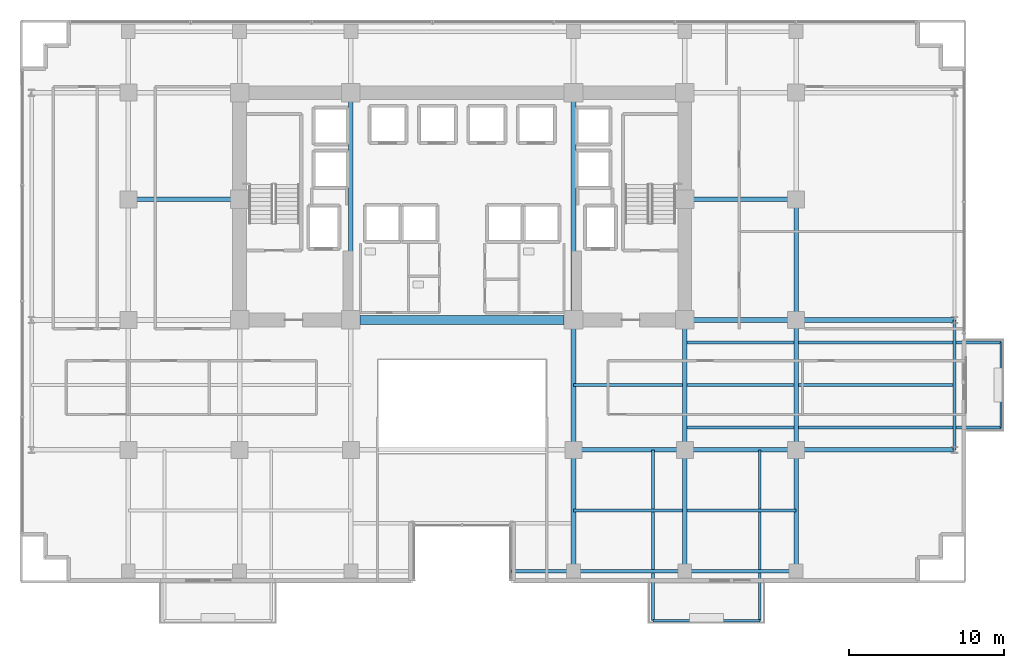
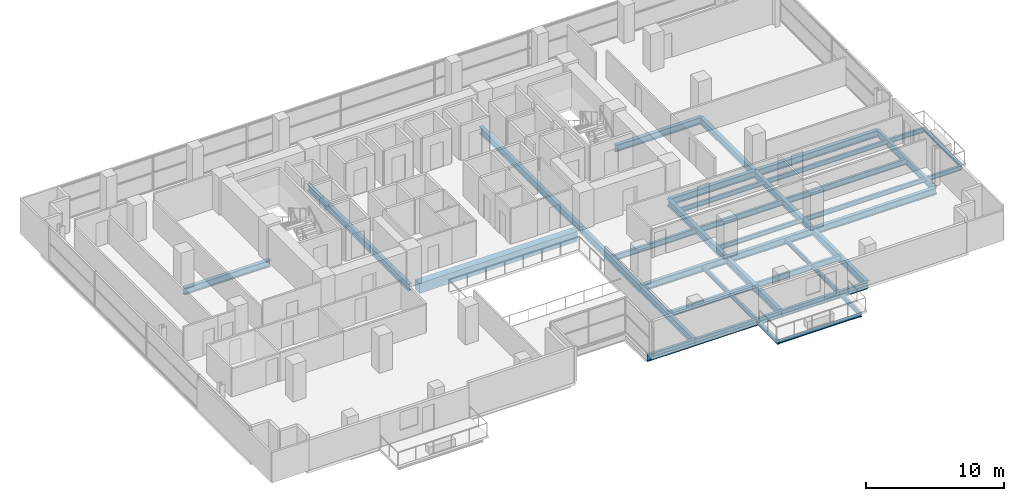
# One storey, part 10 of 26: 32 beams.
"""IFC4 building model written with IfcOpenShell, lengths in metres."""

from ifc_helpers import new_model, si_unit, direction, frame, origin, origin_2d, place, context, subcontext, project, spatial, rectangle, i_section, extrude, material, material_profile, profile_set, type_object, element, save


model = new_model("IFC4")

# Units and contexts
model_context = context("Model", 3, precision=1e-05, world=origin(), true_north=direction((0.0, 1.0)))
body_context = subcontext(model_context, "Body", "Model", "MODEL_VIEW")
ifc_project = project(units=[si_unit("LENGTHUNIT", "METRE"), si_unit("AREAUNIT", "SQUARE_METRE"), si_unit("VOLUMEUNIT", "CUBIC_METRE"), si_unit("PLANEANGLEUNIT", "RADIAN"), si_unit("MASSUNIT", "GRAM", prefix="KILO")], contexts=[model_context])

# Site, building, storey
site_placement = place(None, origin())
site = spatial("IfcSite", under=ifc_project, at=site_placement, CompositionType="ELEMENT")
building_placement = place(site_placement, origin())
building = spatial("IfcBuilding", under=site, at=building_placement, Name="Zarnakvel Exchange Tower", CompositionType="ELEMENT")
storey_placement = place(building_placement, frame((0.0, 0.0, 63.699951171875)))
storey = spatial("IfcBuildingStorey", under=building, at=storey_placement, Name="L17", CompositionType="ELEMENT", Elevation=63.699951171875)

# Beams
ifc_material_1 = material(Name="Steel S355", Category="steel")
ifc_material_profile_1 = material_profile(ifc_material_1, i_section(OverallWidth=0.199951171875, OverallDepth=0.5, WebThickness=0.01025390625, FlangeThickness=0.01611328125, FilletRadius=0.02099609375, at=origin_2d()))
ifc_profile_set_1 = profile_set([ifc_material_profile_1], Name="Steel S355")
beam_type_1 = type_object("IfcBeamType", Name="B-04", PredefinedType="JOIST", material=ifc_profile_set_1)
for number, where, z_axis, x_axis, name in (
    (1, (7.199951171875, -13.52490234375, -0.474853515625), (1.0, 0.0, 0.0), (0.0, 1.0, 0.0), "L17 Composite Floor Secondary Joist"),
    (2, (14.550048828125, -13.52490234375, -0.474853515625), (1.0, 0.0, 0.0), (0.0, 1.0, 0.0), "L17 Composite Floor Secondary Joist"),
    (3, (7.199951171875, -5.39990234375, -0.474853515625), (1.0, 0.0, 0.0), (0.0, 1.0, 0.0), "L17 Composite Floor Secondary Joist"),
):
    element("IfcBeam", number, at=place(storey_placement, frame(where, z_axis=z_axis, x_axis=x_axis)), inside=storey, type_object=beam_type_1, Name=name, PredefinedType="JOIST", context=body_context, shape_type="SweptSolid", body=[
        extrude(i_section(OverallWidth=0.199951171875, OverallDepth=0.5, WebThickness=0.01025390625, FlangeThickness=0.01611328125, FilletRadius=0.02099609375, at=origin_2d()), origin(), (0.0, 0.0, 1.0), 7.050048828125),
    ])
beam_1_placement = place(storey_placement, frame((14.550048828125, -5.39990234375, -0.474853515625), z_axis=(1.0, 0.0, 0.0), x_axis=(0.0, 1.0, 0.0)))
element("IfcBeam", 4, at=beam_1_placement, inside=storey, type_object=beam_type_1, Name="L17 Composite Floor Secondary Joist", PredefinedType="JOIST", context=body_context, shape_type="SweptSolid", body=[
    extrude(i_section(OverallWidth=0.199951171875, OverallDepth=0.5, WebThickness=0.01025390625, FlangeThickness=0.01611328125, FilletRadius=0.02099609375, at=origin_2d()), origin(), (0.0, 0.0, 1.0), 6.89990234375),
])
beam_2_placement = place(storey_placement, frame((21.75, -5.39990234375, -0.474853515625), z_axis=(1.0, 0.0, 0.0), x_axis=(0.0, 1.0, 0.0)))
element("IfcBeam", 5, at=beam_2_placement, inside=storey, type_object=beam_type_1, Name="L17 Composite Floor Secondary Joist", PredefinedType="JOIST", context=body_context, shape_type="SweptSolid", body=[
    extrude(i_section(OverallWidth=0.199951171875, OverallDepth=0.5, WebThickness=0.01025390625, FlangeThickness=0.01611328125, FilletRadius=0.02099609375, at=origin_2d()), origin(), (0.0, 0.0, 1.0), 10.10009765625),
])
ifc_material_profile_2 = material_profile(ifc_material_1, i_section(OverallWidth=0.179931640625, OverallDepth=0.39990234375, WebThickness=0.008544921875, FlangeThickness=0.013427734375, FilletRadius=0.02099609375, at=origin_2d()))
ifc_profile_set_2 = profile_set([ifc_material_profile_2], Name="Steel S355")
beam_type_2 = type_object("IfcBeamType", Name="B-06", PredefinedType="JOIST", material=ifc_profile_set_2)
for number, where, z_axis, x_axis, name in (
    (6, (12.35009765625, -9.60009765625, -0.425048828125), (0.0, -1.0, 0.0), (1.0, 0.0, 0.0), "L17 Continuous Back-Spanned Balcony Beam W"),
    (7, (19.25, -9.60009765625, -0.425048828125), (0.0, -1.0, 0.0), (1.0, 0.0, 0.0), "L17 Continuous Back-Spanned Balcony Beam E"),
):
    element("IfcBeam", number, at=place(storey_placement, frame(where, z_axis=z_axis, x_axis=x_axis)), inside=storey, type_object=beam_type_2, Name=name, PredefinedType="JOIST", context=body_context, shape_type="SweptSolid", body=[
        extrude(i_section(OverallWidth=0.179931640625, OverallDepth=0.39990234375, WebThickness=0.008544921875, FlangeThickness=0.013427734375, FilletRadius=0.02099609375, at=origin_2d()), origin(), (0.0, 0.0, 1.0), 11.0498046875),
    ])
for number, where, z_axis, x_axis, name in (
    (8, (14.39990234375, -8.14990234375, -0.425048828125), (1.0, 0.0, 0.0), (0.0, 1.0, 0.0), "L17 Continuous East Loggia Beam S"),
    (9, (14.39990234375, -2.64990234375, -0.425048828125), (1.0, 0.0, 0.0), (0.0, 1.0, 0.0), "L17 Continuous East Loggia Beam N"),
):
    element("IfcBeam", number, at=place(storey_placement, frame(where, z_axis=z_axis, x_axis=x_axis)), inside=storey, type_object=beam_type_2, Name=name, PredefinedType="JOIST", context=body_context, shape_type="SweptSolid", body=[
        extrude(i_section(OverallWidth=0.179931640625, OverallDepth=0.39990234375, WebThickness=0.008544921875, FlangeThickness=0.013427734375, FilletRadius=0.02099609375, at=origin_2d()), origin(), (0.0, 0.0, 1.0), 20.4501953125),
    ])
ifc_material_profile_3 = material_profile(ifc_material_1, i_section(OverallWidth=0.14990234375, OverallDepth=0.300048828125, WebThickness=0.007080078125, FlangeThickness=0.0107421875, FilletRadius=0.014892578125, at=origin_2d()))
ifc_profile_set_3 = profile_set([ifc_material_profile_3], Name="Steel S355")
beam_type_3 = type_object("IfcBeamType", Name="B-08", PredefinedType="JOIST", material=ifc_profile_set_3)
beam_3_placement = place(storey_placement, frame((12.35009765625, -20.64990234375, -0.375), z_axis=(1.0, 0.0, 0.0), x_axis=(0.0, 1.0, 0.0)))
element("IfcBeam", 10, at=beam_3_placement, inside=storey, type_object=beam_type_3, Name="L17 Balcony Edge Beam", PredefinedType="JOIST", context=body_context, shape_type="SweptSolid", body=[
    extrude(i_section(OverallWidth=0.14990234375, OverallDepth=0.300048828125, WebThickness=0.007080078125, FlangeThickness=0.0107421875, FilletRadius=0.014892578125, at=origin_2d()), origin(), (0.0, 0.0, 1.0), 6.89990234375),
])
beam_4_placement = place(storey_placement, frame((34.85009765625, -8.14990234375, -0.375), z_axis=(0.0, 1.0, 0.0), x_axis=(-1.0, 0.0, 0.0)))
element("IfcBeam", 11, at=beam_4_placement, inside=storey, type_object=beam_type_3, Name="L17 East Loggia Edge Beam", PredefinedType="JOIST", context=body_context, shape_type="SweptSolid", body=[
    extrude(i_section(OverallWidth=0.14990234375, OverallDepth=0.300048828125, WebThickness=0.007080078125, FlangeThickness=0.0107421875, FilletRadius=0.014892578125, at=origin_2d()), origin(), (0.0, 0.0, 1.0), 5.5),
])
ifc_material_2 = material(Name="Concrete C80/95", Category="concrete")
ifc_material_profile_4 = material_profile(ifc_material_2, rectangle(XDim=0.60009765625, YDim=0.89990234375, at=origin_2d()))
ifc_profile_set_4 = profile_set([ifc_material_profile_4], Name="Concrete C80/95")
beam_type_4 = type_object("IfcBeamType", Name="CB-01", PredefinedType="LINTEL", material=ifc_profile_set_4)
beam_5_placement = place(storey_placement, frame((-6.60009765625, -1.199951171875, -0.675048828125), z_axis=(1.0, 0.0, 0.0), x_axis=(0.0, 1.0, 0.0)))
element("IfcBeam", 12, at=beam_5_placement, inside=storey, type_object=beam_type_4, Name="L17 Rear Core South Coupling Beam (CB-01)", PredefinedType="LINTEL", context=body_context, shape_type="SweptSolid", body=[
    extrude(rectangle(XDim=0.60009765625, YDim=0.89990234375, at=origin_2d()), origin(), (0.0, 0.0, 1.0), 13.2001953125),
])
ifc_material_profile_5 = material_profile(ifc_material_1, i_section(OverallWidth=0.300048828125, OverallDepth=0.60009765625, WebThickness=0.015380859375, FlangeThickness=0.030029296875, FilletRadius=0.027099609375, at=origin_2d()))
ifc_profile_set_5 = profile_set([ifc_material_profile_5], Name="Steel S355")
beam_type_5 = type_object("IfcBeamType", Name="G-04", PredefinedType="BEAM", material=ifc_profile_set_5)
beam_6_placement = place(storey_placement, frame((7.199951171875, -9.60009765625, -0.52490234375), z_axis=(1.0, 0.0, 0.0), x_axis=(0.0, 1.0, 0.0)))
element("IfcBeam", 13, at=beam_6_placement, inside=storey, type_object=beam_type_5, Name="L17 Tower E-W Frame Beam", PredefinedType="BEAM", context=body_context, shape_type="SweptSolid", body=[
    extrude(i_section(OverallWidth=0.300048828125, OverallDepth=0.60009765625, WebThickness=0.015380859375, FlangeThickness=0.030029296875, FilletRadius=0.027099609375, at=origin_2d()), origin(), (0.0, 0.0, 1.0), 7.199951171875),
])
beam_7_placement = place(storey_placement, frame((14.39990234375, -9.60009765625, -0.52490234375), z_axis=(1.0, 0.0, 0.0), x_axis=(0.0, 1.0, 0.0)))
element("IfcBeam", 14, at=beam_7_placement, inside=storey, type_object=beam_type_5, Name="L17 Tower E-W Frame Beam", PredefinedType="BEAM", context=body_context, shape_type="SweptSolid", body=[
    extrude(i_section(OverallWidth=0.300048828125, OverallDepth=0.60009765625, WebThickness=0.015380859375, FlangeThickness=0.030029296875, FilletRadius=0.027099609375, at=origin_2d()), origin(), (0.0, 0.0, 1.0), 7.2001953125),
])
beam_8_placement = place(storey_placement, frame((21.60009765625, -9.60009765625, -0.52490234375), z_axis=(1.0, 0.0, 0.0), x_axis=(0.0, 1.0, 0.0)))
element("IfcBeam", 15, at=beam_8_placement, inside=storey, type_object=beam_type_5, Name="L17 Tower E-W Frame Beam", PredefinedType="BEAM", context=body_context, shape_type="SweptSolid", body=[
    extrude(i_section(OverallWidth=0.300048828125, OverallDepth=0.60009765625, WebThickness=0.015380859375, FlangeThickness=0.030029296875, FilletRadius=0.027099609375, at=origin_2d()), origin(), (0.0, 0.0, 1.0), 10.25),
])
beam_9_placement = place(storey_placement, frame((14.39990234375, -1.199951171875, -0.52490234375), z_axis=(1.0, 0.0, 0.0), x_axis=(0.0, 1.0, 0.0)))
element("IfcBeam", 16, at=beam_9_placement, inside=storey, type_object=beam_type_5, Name="L17 Tower E-W Frame Beam", PredefinedType="BEAM", context=body_context, shape_type="SweptSolid", body=[
    extrude(i_section(OverallWidth=0.300048828125, OverallDepth=0.60009765625, WebThickness=0.015380859375, FlangeThickness=0.030029296875, FilletRadius=0.027099609375, at=origin_2d()), origin(), (0.0, 0.0, 1.0), 7.2001953125),
])
beam_10_placement = place(storey_placement, frame((21.60009765625, -1.199951171875, -0.52490234375), z_axis=(1.0, 0.0, 0.0), x_axis=(0.0, 1.0, 0.0)))
element("IfcBeam", 17, at=beam_10_placement, inside=storey, type_object=beam_type_5, Name="L17 Tower E-W Frame Beam", PredefinedType="BEAM", context=body_context, shape_type="SweptSolid", body=[
    extrude(i_section(OverallWidth=0.300048828125, OverallDepth=0.60009765625, WebThickness=0.015380859375, FlangeThickness=0.030029296875, FilletRadius=0.027099609375, at=origin_2d()), origin(), (0.0, 0.0, 1.0), 10.25),
])
for number, where, z_axis, x_axis, name in (
    (18, (-21.60009765625, 6.60009765625, -0.52490234375), (1.0, 0.0, 0.0), (0.0, 1.0, 0.0), "L17 Tower E-W Frame Beam"),
    (19, (14.39990234375, 6.60009765625, -0.52490234375), (1.0, 0.0, 0.0), (0.0, 1.0, 0.0), "L17 Tower E-W Frame Beam"),
):
    element("IfcBeam", number, at=place(storey_placement, frame(where, z_axis=z_axis, x_axis=x_axis)), inside=storey, type_object=beam_type_5, Name=name, PredefinedType="BEAM", context=body_context, shape_type="SweptSolid", body=[
        extrude(i_section(OverallWidth=0.300048828125, OverallDepth=0.60009765625, WebThickness=0.015380859375, FlangeThickness=0.030029296875, FilletRadius=0.027099609375, at=origin_2d()), origin(), (0.0, 0.0, 1.0), 7.2001953125),
    ])
beam_11_placement = place(storey_placement, frame((-7.199951171875, -1.199951171875, -0.52490234375), z_axis=(0.0, 1.0, 0.0), x_axis=(-1.0, 0.0, 0.0)))
element("IfcBeam", 20, at=beam_11_placement, inside=storey, type_object=beam_type_5, Name="L17 Tower N-S Frame Beam", PredefinedType="BEAM", context=body_context, shape_type="SweptSolid", body=[
    extrude(i_section(OverallWidth=0.300048828125, OverallDepth=0.60009765625, WebThickness=0.015380859375, FlangeThickness=0.030029296875, FilletRadius=0.027099609375, at=origin_2d()), origin(), (0.0, 0.0, 1.0), 14.699951171875),
])
beam_12_placement = place(storey_placement, frame((7.199951171875, -17.449951171875, -0.52490234375), z_axis=(0.0, 1.0, 0.0), x_axis=(-1.0, 0.0, 0.0)))
element("IfcBeam", 21, at=beam_12_placement, inside=storey, type_object=beam_type_5, Name="L17 Tower N-S Frame Beam", PredefinedType="BEAM", context=body_context, shape_type="SweptSolid", body=[
    extrude(i_section(OverallWidth=0.300048828125, OverallDepth=0.60009765625, WebThickness=0.015380859375, FlangeThickness=0.030029296875, FilletRadius=0.027099609375, at=origin_2d()), origin(), (0.0, 0.0, 1.0), 7.849853515625),
])
beam_13_placement = place(storey_placement, frame((7.199951171875, -9.60009765625, -0.52490234375), z_axis=(0.0, 1.0, 0.0), x_axis=(-1.0, 0.0, 0.0)))
element("IfcBeam", 22, at=beam_13_placement, inside=storey, type_object=beam_type_5, Name="L17 Tower N-S Frame Beam", PredefinedType="BEAM", context=body_context, shape_type="SweptSolid", body=[
    extrude(i_section(OverallWidth=0.300048828125, OverallDepth=0.60009765625, WebThickness=0.015380859375, FlangeThickness=0.030029296875, FilletRadius=0.027099609375, at=origin_2d()), origin(), (0.0, 0.0, 1.0), 8.400146484375),
])
beam_14_placement = place(storey_placement, frame((7.199951171875, -1.199951171875, -0.52490234375), z_axis=(0.0, 1.0, 0.0), x_axis=(-1.0, 0.0, 0.0)))
element("IfcBeam", 23, at=beam_14_placement, inside=storey, type_object=beam_type_5, Name="L17 Tower N-S Frame Beam", PredefinedType="BEAM", context=body_context, shape_type="SweptSolid", body=[
    extrude(i_section(OverallWidth=0.300048828125, OverallDepth=0.60009765625, WebThickness=0.015380859375, FlangeThickness=0.030029296875, FilletRadius=0.027099609375, at=origin_2d()), origin(), (0.0, 0.0, 1.0), 14.699951171875),
])
beam_15_placement = place(storey_placement, frame((14.39990234375, -17.449951171875, -0.52490234375), z_axis=(0.0, 1.0, 0.0), x_axis=(-1.0, 0.0, 0.0)))
element("IfcBeam", 24, at=beam_15_placement, inside=storey, type_object=beam_type_5, Name="L17 Tower N-S Frame Beam", PredefinedType="BEAM", context=body_context, shape_type="SweptSolid", body=[
    extrude(i_section(OverallWidth=0.300048828125, OverallDepth=0.60009765625, WebThickness=0.015380859375, FlangeThickness=0.030029296875, FilletRadius=0.027099609375, at=origin_2d()), origin(), (0.0, 0.0, 1.0), 7.849853515625),
])
beam_16_placement = place(storey_placement, frame((14.39990234375, -9.60009765625, -0.52490234375), z_axis=(0.0, 1.0, 0.0), x_axis=(-1.0, 0.0, 0.0)))
element("IfcBeam", 25, at=beam_16_placement, inside=storey, type_object=beam_type_5, Name="L17 Tower N-S Frame Beam", PredefinedType="BEAM", context=body_context, shape_type="SweptSolid", body=[
    extrude(i_section(OverallWidth=0.300048828125, OverallDepth=0.60009765625, WebThickness=0.015380859375, FlangeThickness=0.030029296875, FilletRadius=0.027099609375, at=origin_2d()), origin(), (0.0, 0.0, 1.0), 8.400146484375),
])
beam_17_placement = place(storey_placement, frame((21.60009765625, -17.449951171875, -0.52490234375), z_axis=(0.0, 1.0, 0.0), x_axis=(-1.0, 0.0, 0.0)))
element("IfcBeam", 26, at=beam_17_placement, inside=storey, type_object=beam_type_5, Name="L17 Tower N-S Frame Beam", PredefinedType="BEAM", context=body_context, shape_type="SweptSolid", body=[
    extrude(i_section(OverallWidth=0.300048828125, OverallDepth=0.60009765625, WebThickness=0.015380859375, FlangeThickness=0.030029296875, FilletRadius=0.027099609375, at=origin_2d()), origin(), (0.0, 0.0, 1.0), 7.849853515625),
])
beam_18_placement = place(storey_placement, frame((21.60009765625, -9.60009765625, -0.52490234375), z_axis=(0.0, 1.0, 0.0), x_axis=(-1.0, 0.0, 0.0)))
element("IfcBeam", 27, at=beam_18_placement, inside=storey, type_object=beam_type_5, Name="L17 Tower N-S Frame Beam", PredefinedType="BEAM", context=body_context, shape_type="SweptSolid", body=[
    extrude(i_section(OverallWidth=0.300048828125, OverallDepth=0.60009765625, WebThickness=0.015380859375, FlangeThickness=0.030029296875, FilletRadius=0.027099609375, at=origin_2d()), origin(), (0.0, 0.0, 1.0), 8.400146484375),
])
beam_19_placement = place(storey_placement, frame((21.60009765625, -1.199951171875, -0.52490234375), z_axis=(0.0, 1.0, 0.0), x_axis=(-1.0, 0.0, 0.0)))
element("IfcBeam", 28, at=beam_19_placement, inside=storey, type_object=beam_type_5, Name="L17 Tower N-S Frame Beam", PredefinedType="BEAM", context=body_context, shape_type="SweptSolid", body=[
    extrude(i_section(OverallWidth=0.300048828125, OverallDepth=0.60009765625, WebThickness=0.015380859375, FlangeThickness=0.030029296875, FilletRadius=0.027099609375, at=origin_2d()), origin(), (0.0, 0.0, 1.0), 7.800048828125),
])
ifc_material_profile_6 = material_profile(ifc_material_1, i_section(OverallWidth=0.219970703125, OverallDepth=0.60009765625, WebThickness=0.011962890625, FlangeThickness=0.01904296875, FilletRadius=0.02392578125, at=origin_2d()))
ifc_profile_set_6 = profile_set([ifc_material_profile_6], Name="Steel S355")
beam_type_6 = type_object("IfcBeamType", Name="SP-01", PredefinedType="SPANDREL", material=ifc_profile_set_6)
beam_20_placement = place(storey_placement, frame((3.199951171875, -17.449951171875, -0.52490234375), z_axis=(1.0, 0.0, 0.0), x_axis=(0.0, 1.0, 0.0)))
element("IfcBeam", 29, at=beam_20_placement, inside=storey, type_object=beam_type_6, Name="L17 South Slot East Jamb Spandrel", PredefinedType="SPANDREL", context=body_context, shape_type="SweptSolid", body=[
    extrude(i_section(OverallWidth=0.219970703125, OverallDepth=0.60009765625, WebThickness=0.011962890625, FlangeThickness=0.01904296875, FilletRadius=0.02392578125, at=origin_2d()), origin(), (0.0, 0.0, 1.0), 4.0),
])
beam_21_placement = place(storey_placement, frame((7.199951171875, -17.449951171875, -0.52490234375), z_axis=(1.0, 0.0, 0.0), x_axis=(0.0, 1.0, 0.0)))
element("IfcBeam", 30, at=beam_21_placement, inside=storey, type_object=beam_type_6, Name="L17 Tower E-W Frame Beam", PredefinedType="SPANDREL", context=body_context, shape_type="SweptSolid", body=[
    extrude(i_section(OverallWidth=0.219970703125, OverallDepth=0.60009765625, WebThickness=0.011962890625, FlangeThickness=0.01904296875, FilletRadius=0.02392578125, at=origin_2d()), origin(), (0.0, 0.0, 1.0), 7.199951171875),
])
beam_22_placement = place(storey_placement, frame((14.39990234375, -17.449951171875, -0.52490234375), z_axis=(1.0, 0.0, 0.0), x_axis=(0.0, 1.0, 0.0)))
element("IfcBeam", 31, at=beam_22_placement, inside=storey, type_object=beam_type_6, Name="L17 Tower E-W Frame Beam", PredefinedType="SPANDREL", context=body_context, shape_type="SweptSolid", body=[
    extrude(i_section(OverallWidth=0.219970703125, OverallDepth=0.60009765625, WebThickness=0.011962890625, FlangeThickness=0.01904296875, FilletRadius=0.02392578125, at=origin_2d()), origin(), (0.0, 0.0, 1.0), 7.2001953125),
])
beam_23_placement = place(storey_placement, frame((31.85009765625, -9.60009765625, -0.52490234375), z_axis=(0.0, 1.0, 0.0), x_axis=(-1.0, 0.0, 0.0)))
element("IfcBeam", 32, at=beam_23_placement, inside=storey, type_object=beam_type_6, Name="L17 Tower N-S Frame Beam", PredefinedType="SPANDREL", context=body_context, shape_type="SweptSolid", body=[
    extrude(i_section(OverallWidth=0.219970703125, OverallDepth=0.60009765625, WebThickness=0.011962890625, FlangeThickness=0.01904296875, FilletRadius=0.02392578125, at=origin_2d()), origin(), (0.0, 0.0, 1.0), 8.400146484375),
])

save(model, "model.ifc")
